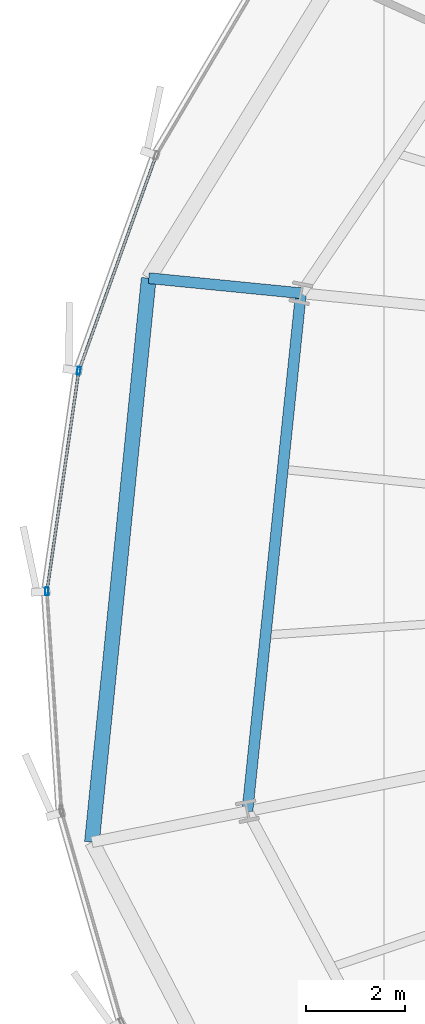
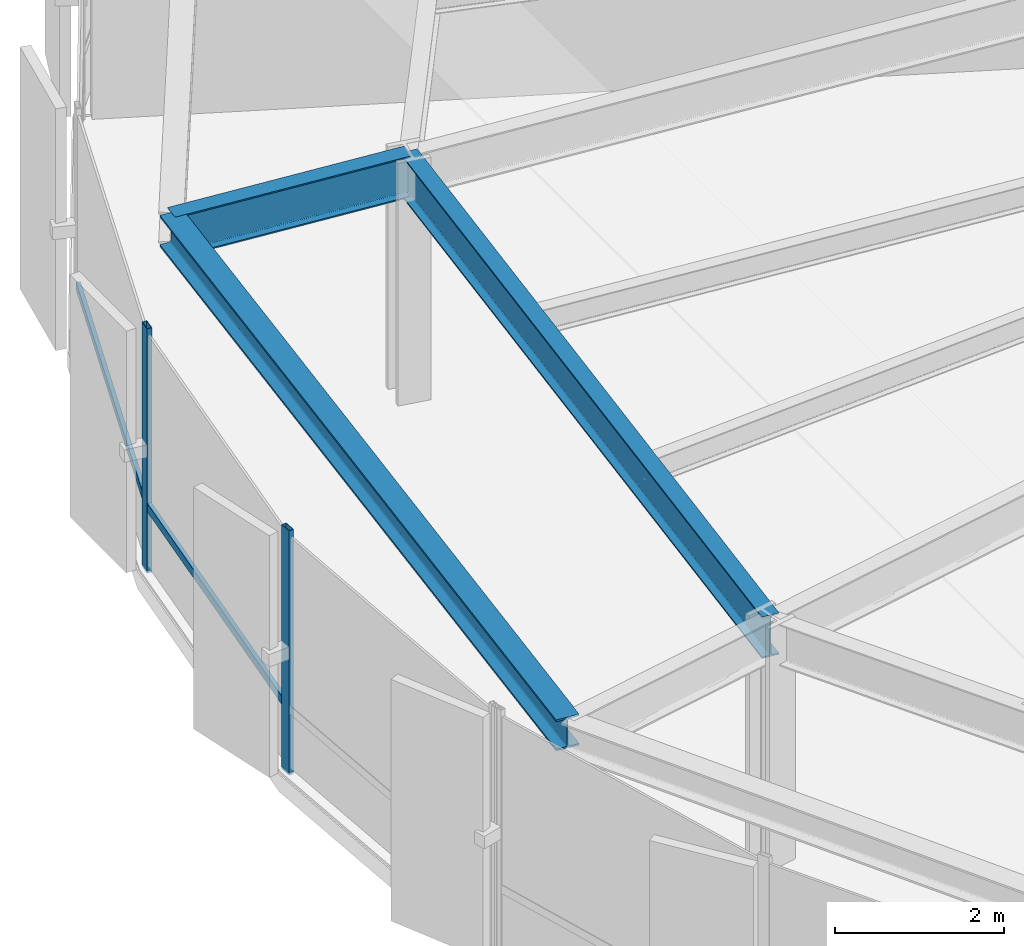
# One storey, part 8 of 35: 4 members, 3 beams, 1 element without a shape of its own.
"""IFC4 building model written with IfcOpenShell, lengths in metres."""

from ifc_helpers import new_model, si_unit, direction, frame, origin, origin_2d, place, context, subcontext, project, spatial, hollow_rectangle, i_section, extrude, source, transform, mapped, material, layer, layer_set, material_profile, profile_set, type_object, element, aggregate, save


model = new_model("IFC4")

# Units and contexts
model_context = context("Model", 3, precision=1e-05, world=origin(), true_north=direction((0.0, 1.0)))
body_context = subcontext(model_context, "Body", "Model", "MODEL_VIEW")
ifc_project = project(units=[si_unit("LENGTHUNIT", "METRE"), si_unit("AREAUNIT", "SQUARE_METRE"), si_unit("VOLUMEUNIT", "CUBIC_METRE"), si_unit("PLANEANGLEUNIT", "RADIAN"), si_unit("MASSUNIT", "GRAM", prefix="KILO"), si_unit("THERMODYNAMICTEMPERATUREUNIT", "KELVIN")], contexts=[model_context])

# Site, building, storey
site_placement = place(None, origin())
site = spatial("IfcSite", under=ifc_project, at=site_placement, CompositionType="ELEMENT")
building_placement = place(site_placement, origin())
building = spatial("IfcBuilding", under=site, at=building_placement, Name="Kethvar Cultural Tower", CompositionType="ELEMENT")
storey_placement = place(building_placement, frame((0.0, 0.0, 71.39990234375)))
storey = spatial("IfcBuildingStorey", under=building, at=storey_placement, Name="L17", CompositionType="ELEMENT", Elevation=71.39990234375)

# Beams
ifc_material_1 = material(Name="Steel S355J2", Category="steel")
ifc_material_profile_1 = material_profile(ifc_material_1, i_section(OverallWidth=0.219970703125, OverallDepth=0.60009765625, WebThickness=0.011962890625, FlangeThickness=0.01904296875, FilletRadius=0.02392578125, at=origin_2d()), Name="Steel S355J2 — IPE600")
ifc_profile_set_1 = profile_set([ifc_material_profile_1], Name="Steel S355J2 — IPE600")
beam_type_1 = type_object("IfcBeamType", Name="BM-IPE600", PredefinedType="BEAM", material=ifc_profile_set_1)
shared_shape_1 = source(origin(), body_context, "Body", "SweptSolid", [
    extrude(i_section(OverallWidth=0.219970703125, OverallDepth=0.60009765625, WebThickness=0.011962890625, FlangeThickness=0.01904296875, FilletRadius=0.02392578125, at=origin_2d()), origin(), (0.0, 0.0, 1.0), 10.515869140625),
])
beam_1_placement = place(storey_placement, frame((21.047119140625, 32.922607421875, 3.238037109375), z_axis=(-0.102824694973, -0.994699493367, 0.0), x_axis=(0.994699493367, -0.102824694973, 0.0)))
element("IfcBeam", 1, at=beam_1_placement, inside=storey, type_object=beam_type_1, Name="L17 Column Ring Tie Beam CR-08", PredefinedType="BEAM", context=body_context, shape_type="MappedRepresentation", body=[
    mapped(shared_shape_1, transform((0.0, 0.0, 0.0), scale=1.0)),
])
shared_shape_2 = source(origin(), body_context, "Body", "SweptSolid", [
    extrude(i_section(OverallWidth=0.219970703125, OverallDepth=0.60009765625, WebThickness=0.011962890625, FlangeThickness=0.01904296875, FilletRadius=0.02392578125, at=origin_2d()), origin(), (0.0, 0.0, 1.0), 3.087890625),
])
beam_2_placement = place(storey_placement, frame((21.047119140625, 32.922607421875, 3.238037109375), z_axis=(-0.995167059529, 0.098196352422, 0.0), x_axis=(-0.098196352422, -0.995167059529, 0.0)))
element("IfcBeam", 2, at=beam_2_placement, inside=storey, type_object=beam_type_1, Name="L17 Perimeter Cantilever Beam RC-08", PredefinedType="BEAM", context=body_context, shape_type="MappedRepresentation", body=[
    mapped(shared_shape_2, transform((0.0, 0.0, 0.0), scale=1.0)),
])
ifc_material_profile_2 = material_profile(ifc_material_1, i_section(OverallWidth=0.300048828125, OverallDepth=0.449951171875, WebThickness=0.013916015625, FlangeThickness=0.02587890625, FilletRadius=0.027099609375, at=origin_2d()), Name="Steel S355J2 — HEB450")
ifc_profile_set_2 = profile_set([ifc_material_profile_2], Name="Steel S355J2 — HEB450")
beam_type_2 = type_object("IfcBeamType", Name="BM-SP450", PredefinedType="SPANDREL", material=ifc_profile_set_2)
shared_shape_3 = source(origin(), body_context, "Body", "SweptSolid", [
    extrude(i_section(OverallWidth=0.300048828125, OverallDepth=0.449951171875, WebThickness=0.013916015625, FlangeThickness=0.02587890625, FilletRadius=0.027099609375, at=origin_2d()), origin(), (0.0, 0.0, 1.0), 11.4453125),
])
beam_3_placement = place(storey_placement, frame((17.97412109375, 33.225830078125, 3.31298828125), z_axis=(-0.100192204162, -0.994968101109, 0.0), x_axis=(0.994968101109, -0.100192204162, 0.0)))
element("IfcBeam", 3, at=beam_3_placement, inside=storey, type_object=beam_type_2, Name="L17 Perimeter Spandrel Beam SP-08", PredefinedType="SPANDREL", context=body_context, shape_type="MappedRepresentation", body=[
    mapped(shared_shape_3, transform((0.0, 0.0, 0.0), scale=1.0)),
])

# Curtain wall, members
ifc_material_2 = material(Name="Aluminium 6063-T6", Category="aluminium")
ifc_layer = layer(ifc_material_2, 0.179931640625, Name="Aluminium 6063-T6", Category="aluminium")
ifc_layer_set = layer_set([ifc_layer], Name="Aluminium 6063-T6 (180 mm)")
curtain_wall_type = type_object("IfcCurtainWallType", Name="CW-SYS-02-Z1", PredefinedType="NOTDEFINED", material=ifc_layer_set)
curtain_wall_placement = place(storey_placement, origin())
curtain_wall = element("IfcCurtainWall", 4, at=curtain_wall_placement, inside=storey, type_object=curtain_wall_type, Name="L17 Curtain Wall Run 03", PredefinedType="NOTDEFINED")
ifc_material_profile_3 = material_profile(ifc_material_2, hollow_rectangle(XDim=0.06494140625, YDim=0.159912109375, WallThickness=0.0048828125, at=origin_2d()), Name="Aluminium 6063-T6 — RHS160x65x5")
ifc_profile_set_3 = profile_set([ifc_material_profile_3], Name="Aluminium 6063-T6 — RHS160x65x5")
member_type_1 = type_object("IfcMemberType", Name="CW-SYS-02-Z1-MUL", PredefinedType="MULLION", material=ifc_profile_set_3)
shared_shape_4 = source(origin(), body_context, "Body", "SweptSolid", [
    extrude(hollow_rectangle(XDim=0.06494140625, YDim=0.159912109375, WallThickness=0.0048828125, at=origin_2d()), origin(), (0.0, 0.0, 1.0), 3.5400390625),
])
member_1_placement = place(storey_placement, frame((16.560791015625, 31.3564453125, 0.0), z_axis=(0.0, 0.0, 1.0), x_axis=(0.989773741413, -0.142646208538, 0.0)))
member_1 = element("IfcMember", 5, at=member_1_placement, type_object=member_type_1, Name="CW-L17-R03 Mullion 5", PredefinedType="MULLION", context=body_context, shape_type="MappedRepresentation", body=[
    mapped(shared_shape_4, transform((0.0, 0.0, 0.0), scale=1.0)),
])
member_2_placement = place(storey_placement, frame((15.916015625, 26.9013671875, 0.0), z_axis=(0.0, 0.0, 1.0), x_axis=(0.997792204984, 0.066413219121, 0.0)))
member_2 = element("IfcMember", 6, at=member_2_placement, type_object=member_type_1, Name="CW-L17-R03 Mullion 6", PredefinedType="MULLION", context=body_context, shape_type="MappedRepresentation", body=[
    mapped(shared_shape_4, transform((0.0, 0.0, 0.0), scale=1.0)),
])
ifc_material_profile_4 = material_profile(ifc_material_2, hollow_rectangle(XDim=0.054931640625, YDim=0.1201171875, WallThickness=0.00390625, at=origin_2d()), Name="Aluminium 6063-T6 — RHS120x55x4")
ifc_profile_set_4 = profile_set([ifc_material_profile_4], Name="Aluminium 6063-T6 — RHS120x55x4")
member_type_2 = type_object("IfcMemberType", Name="CW-SYS-02-Z1-TRN", PredefinedType="USERDEFINED", material=ifc_profile_set_4)
shared_shape_5 = source(origin(), body_context, "Body", "SweptSolid", [
    extrude(hollow_rectangle(XDim=0.054931640625, YDim=0.1201171875, WallThickness=0.00390625, at=origin_2d()), origin(), (0.0, 0.0, 1.0), 4.55078125),
])
member_3_placement = place(storey_placement, frame((18.107421875, 35.66064453125, 0.9501953125), z_axis=(-0.337664899126, -0.941266389445, 0.0), x_axis=(0.941266389445, -0.337664899126, 0.0)))
member_3 = element("IfcMember", 7, at=member_3_placement, type_object=member_type_2, Name="CW-L17-R03 Transom 4", ObjectType="TRANSOM", PredefinedType="USERDEFINED", context=body_context, shape_type="MappedRepresentation", body=[
    mapped(shared_shape_5, transform((0.0, 0.0, 0.0), scale=1.0)),
])
shared_shape_6 = source(origin(), body_context, "Body", "SweptSolid", [
    extrude(hollow_rectangle(XDim=0.054931640625, YDim=0.1201171875, WallThickness=0.00390625, at=origin_2d()), origin(), (0.0, 0.0, 1.0), 4.43310546875),
])
member_4_placement = place(storey_placement, frame((16.55419921875, 31.310302734375, 0.9501953125), z_axis=(-0.14263946731, -0.989774712935, 0.0), x_axis=(0.989774712935, -0.14263946731, 0.0)))
member_4 = element("IfcMember", 8, at=member_4_placement, type_object=member_type_2, Name="CW-L17-R03 Transom 5", ObjectType="TRANSOM", PredefinedType="USERDEFINED", context=body_context, shape_type="MappedRepresentation", body=[
    mapped(shared_shape_6, transform((0.0, 0.0, 0.0), scale=1.0)),
])
aggregate(curtain_wall, [member_1, member_2, member_3, member_4])

save(model, "model.ifc")
